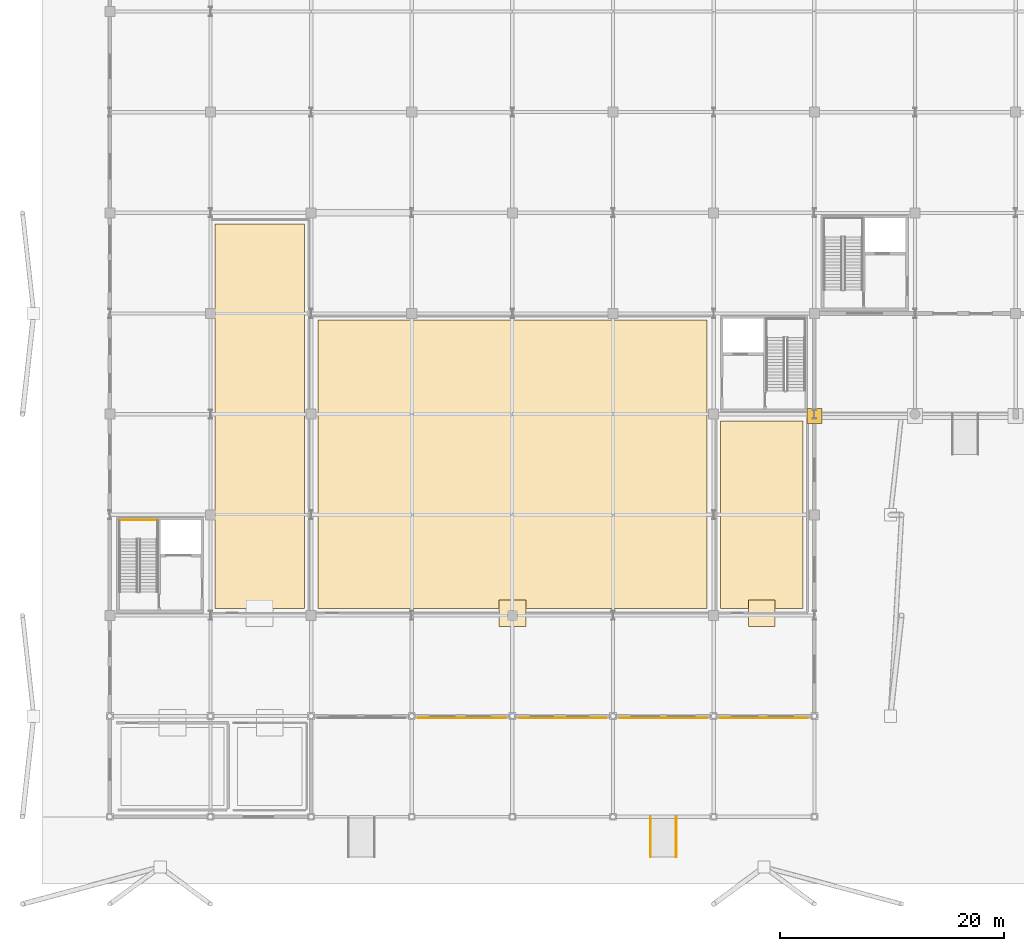
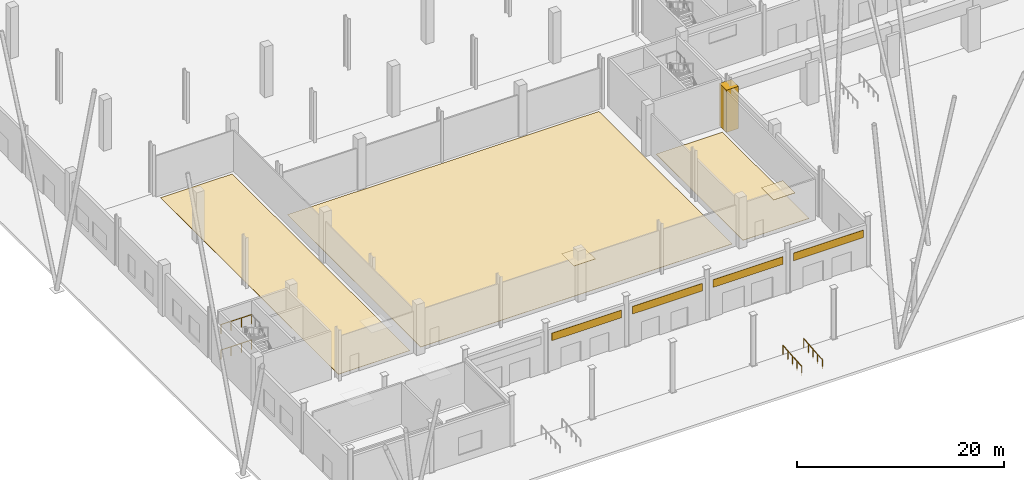
# One storey, part 43 of 58: 10 coverings, 4 railings.
"""IFC4 building model written with IfcOpenShell, lengths in metres."""

from ifc_helpers import new_model, si_unit, direction, frame, origin, origin_2d, place, context, subcontext, project, spatial, polyline, rectangle, circle, outline, extrude, material, layer, layer_set, type_object, element, save


model = new_model("IFC4")

# Units and contexts
model_context = context("Model", 3, precision=1e-05, world=origin(), true_north=direction((0.0, 1.0)))
body_context = subcontext(model_context, "Body", "Model", "MODEL_VIEW")
ifc_project = project(units=[si_unit("LENGTHUNIT", "METRE"), si_unit("AREAUNIT", "SQUARE_METRE"), si_unit("VOLUMEUNIT", "CUBIC_METRE"), si_unit("PLANEANGLEUNIT", "RADIAN"), si_unit("MASSUNIT", "GRAM", prefix="KILO")], contexts=[model_context])

# Site, building, storey
site_placement = place(None, origin())
site = spatial("IfcSite", under=ifc_project, at=site_placement, CompositionType="ELEMENT")
building_placement = place(site_placement, origin())
building = spatial("IfcBuilding", under=site, at=building_placement, Name="Barlavento Convention Centre", CompositionType="ELEMENT")
storey_placement = place(building_placement, origin())
storey = spatial("IfcBuildingStorey", under=building, at=storey_placement, Name="L00", CompositionType="ELEMENT", Elevation=0.0)

# Coverings
ifc_material_1 = material(Name="Perforated mineral-fibre acoustic board")
ifc_layer_1 = layer(ifc_material_1, 0.0400390625)
ifc_layer_set_1 = layer_set([ifc_layer_1], Name="ARC-COV-CEIL-ACOU")
covering_type_1 = type_object("IfcCoveringType", Name="ARC-COV-CEIL-ACOU", PredefinedType="CEILING", material=ifc_layer_set_1)
covering_1_placement = place(storey_placement, frame((0.0, 0.0, 4.85009765625)))
element("IfcCovering", 1, at=covering_1_placement, inside=storey, type_object=covering_type_1, Name="L00 acoustic ceiling panel", PredefinedType="CEILING", context=body_context, shape_type="SweptSolid", body=[
    extrude(outline(polyline([(34.800048828125, 17.0), (37.199951171875, 17.0), (37.199951171875, 19.39990234375), (34.800048828125, 19.39990234375), (34.800048828125, 17.0)])), origin(), (0.0, 0.0, 1.0), 0.039794921875),
])
covering_2_placement = place(storey_placement, frame((0.0, 0.0, 4.85009765625)))
element("IfcCovering", 2, at=covering_2_placement, inside=storey, type_object=covering_type_1, Name="L00 acoustic ceiling panel", PredefinedType="CEILING", context=body_context, shape_type="SweptSolid", body=[
    extrude(outline(polyline([(57.10009765625, 17.0), (59.5, 17.0), (59.5, 19.39990234375), (57.10009765625, 19.39990234375), (57.10009765625, 17.0)])), origin(), (0.0, 0.0, 1.0), 0.039794921875),
])
ifc_material_2 = material(Name="Macau dark grey granite cladding", Category="masonry")
ifc_layer_2 = layer(ifc_material_2, 0.050048828125)
ifc_layer_set_2 = layer_set([ifc_layer_2], Name="ARC-COV-CLAD-GRANITE")
covering_type_2 = type_object("IfcCoveringType", Name="ARC-COV-CLAD-GRANITE", PredefinedType="CLADDING", material=ifc_layer_set_2)
for number, where, z_axis, x_axis, name in (
    (3, (31.5, 8.830078125, 3.550048828125), (0.0, 0.0, 1.0), (1.0, 0.0, 0.0), "Macau granite plinth cladding panel"),
    (4, (40.5, 8.830078125, 3.550048828125), (0.0, 0.0, 1.0), (1.0, 0.0, 0.0), "Macau granite plinth cladding panel"),
    (5, (49.5, 8.830078125, 3.550048828125), (0.0, 0.0, 1.0), (1.0, 0.0, 0.0), "Macau granite plinth cladding panel"),
    (6, (58.5, 8.830078125, 3.550048828125), (0.0, 0.0, 1.0), (1.0, 0.0, 0.0), "Macau granite plinth cladding panel"),
):
    element("IfcCovering", number, at=place(storey_placement, frame(where, z_axis=z_axis, x_axis=x_axis)), inside=storey, type_object=covering_type_2, Name=name, PredefinedType="CLADDING", context=body_context, shape_type="SweptSolid", body=[
        extrude(rectangle(XDim=7.800048828125, YDim=0.050048828125, at=origin_2d()), origin(), (0.0, 0.0, 1.0), 0.89990234375),
    ])
covering_3_placement = place(storey_placement, frame((63.0, 35.85009765625, 0.0), z_axis=(0.0, 0.0, 1.0), x_axis=(1.0, 0.0, 0.0)))
element("IfcCovering", 7, at=covering_3_placement, inside=storey, type_object=covering_type_2, Name="Postmodern stepped stone portal pier CLD01", PredefinedType="CLADDING", context=body_context, shape_type="SweptSolid", body=[
    extrude(rectangle(XDim=1.35009765625, YDim=1.35009765625, at=origin_2d()), origin(), (0.0, 0.0, 1.0), 5.0),
])
ifc_material_3 = material(Name="Honed granite concourse stone flooring", Category="masonry")
ifc_layer_3 = layer(ifc_material_3, 0.030029296875)
ifc_layer_set_3 = layer_set([ifc_layer_3], Name="ARC-COV-FLR-STONE")
covering_type_3 = type_object("IfcCoveringType", Name="ARC-COV-FLR-STONE", PredefinedType="FLOORING", material=ifc_layer_set_3)
covering_4_placement = place(storey_placement, origin())
element("IfcCovering", 8, at=covering_4_placement, inside=storey, type_object=covering_type_3, Name="L00 honed stone floor finish", PredefinedType="FLOORING", context=body_context, shape_type="SweptSolid", body=[
    extrude(outline(polyline([(53.39990234375, 18.60009765625), (18.60009765625, 18.60009765625), (18.60009765625, 44.39990234375), (53.39990234375, 44.39990234375), (53.39990234375, 18.60009765625)])), origin(), (0.0, 0.0, 1.0), 0.030029296875),
])
covering_5_placement = place(storey_placement, origin())
element("IfcCovering", 9, at=covering_5_placement, inside=storey, type_object=covering_type_3, Name="L00 honed stone floor finish", PredefinedType="FLOORING", context=body_context, shape_type="SweptSolid", body=[
    extrude(outline(polyline([(17.39990234375, 18.60009765625), (9.39990234375, 18.60009765625), (9.39990234375, 53.0), (17.39990234375, 53.0), (17.39990234375, 18.60009765625)])), origin(), (0.0, 0.0, 1.0), 0.030029296875),
])
covering_6_placement = place(storey_placement, origin())
element("IfcCovering", 10, at=covering_6_placement, inside=storey, type_object=covering_type_3, Name="L00 honed stone floor finish", PredefinedType="FLOORING", context=body_context, shape_type="SweptSolid", body=[
    extrude(outline(polyline([(62.0, 18.60009765625), (54.60009765625, 18.60009765625), (54.60009765625, 35.39990234375), (62.0, 35.39990234375), (62.0, 18.60009765625)])), origin(), (0.0, 0.0, 1.0), 0.030029296875),
])

# Railings
ifc_material_4 = material(Name="Stainless steel and laminated glass balustrade", Category="steel")
railing_type_1 = type_object("IfcRailingType", Name="ARC-RAL-BAL-1100", PredefinedType="BALUSTRADE", material=ifc_material_4)
for number, where, name in (
    (11, (4.2900390625, 26.530029296875, 3.0), "L00 landing guard GR01"),
    (12, (4.2900390625, 26.530029296875, 0.0), "L00 stairwell perimeter guard GR01"),
):
    element("IfcRailing", number, at=place(storey_placement, frame(where)), inside=storey, type_object=railing_type_1, Name=name, PredefinedType="BALUSTRADE", context=body_context, shape_type="SweptSolid", body=[
        extrude(circle(Radius=0.02392578125, at=origin_2d()), frame((0.0, 0.0, 1.076171875), z_axis=(-1.0, 0.0, 0.0), x_axis=(0.0, -1.0, 0.0)), (0.0, 0.0, 1.0), 3.43994140625),
        extrude(circle(Radius=0.02099609375, at=origin_2d()), origin(), (0.0, 0.0, 1.0), 1.052001953125),
        extrude(circle(Radius=0.02099609375, at=origin_2d()), frame((-1.146728515625, 0.0, 0.0)), (0.0, 0.0, 1.0), 1.052001953125),
        extrude(circle(Radius=0.02099609375, at=origin_2d()), frame((-2.293212890625, 0.0, 0.0)), (0.0, 0.0, 1.0), 1.052001953125),
        extrude(circle(Radius=0.02099609375, at=origin_2d()), frame((-3.43994140625, 0.0, 0.0)), (0.0, 0.0, 1.0), 1.052001953125),
    ])
ifc_material_5 = material(Name="Painted galvanized steel perimeter guardrail", Category="steel")
railing_type_2 = type_object("IfcRailingType", Name="ARC-RAL-PAR-1100", PredefinedType="GUARDRAIL", material=ifc_material_5)
for number, where, name in (
    (13, (48.35009765625, -3.60009765625, -0.300048828125), "Accessible approach ramp west handrail guard GR02"),
    (14, (50.64990234375, -3.60009765625, -0.300048828125), "Accessible approach ramp east handrail guard GR02"),
):
    element("IfcRailing", number, at=place(storey_placement, frame(where)), inside=storey, type_object=railing_type_2, Name=name, PredefinedType="GUARDRAIL", context=body_context, shape_type="SweptSolid", body=[
        extrude(circle(Radius=0.02392578125, at=origin_2d()), frame((0.0, 0.0, 1.076171875), z_axis=(0.0, 0.996544826035, 0.083056665618), x_axis=(-1.0, 0.0, 0.0)), (0.0, 0.0, 1.0), 3.612548828125),
        extrude(circle(Radius=0.02099609375, at=origin_2d()), origin(), (0.0, 0.0, 1.0), 1.052001953125),
        extrude(circle(Radius=0.02099609375, at=origin_2d()), frame((0.0, 0.89990234375, 0.074951171875)), (0.0, 0.0, 1.0), 1.052001953125),
        extrude(circle(Radius=0.02099609375, at=origin_2d()), frame((0.0, 1.800048828125, 0.14990234375)), (0.0, 0.0, 1.0), 1.052001953125),
        extrude(circle(Radius=0.02099609375, at=origin_2d()), frame((0.0, 2.7001953125, 0.22509765625)), (0.0, 0.0, 1.0), 1.052001953125),
        extrude(circle(Radius=0.02099609375, at=origin_2d()), frame((0.0, 3.60009765625, 0.300048828125)), (0.0, 0.0, 1.0), 1.052001953125),
    ])

save(model, "model.ifc")
